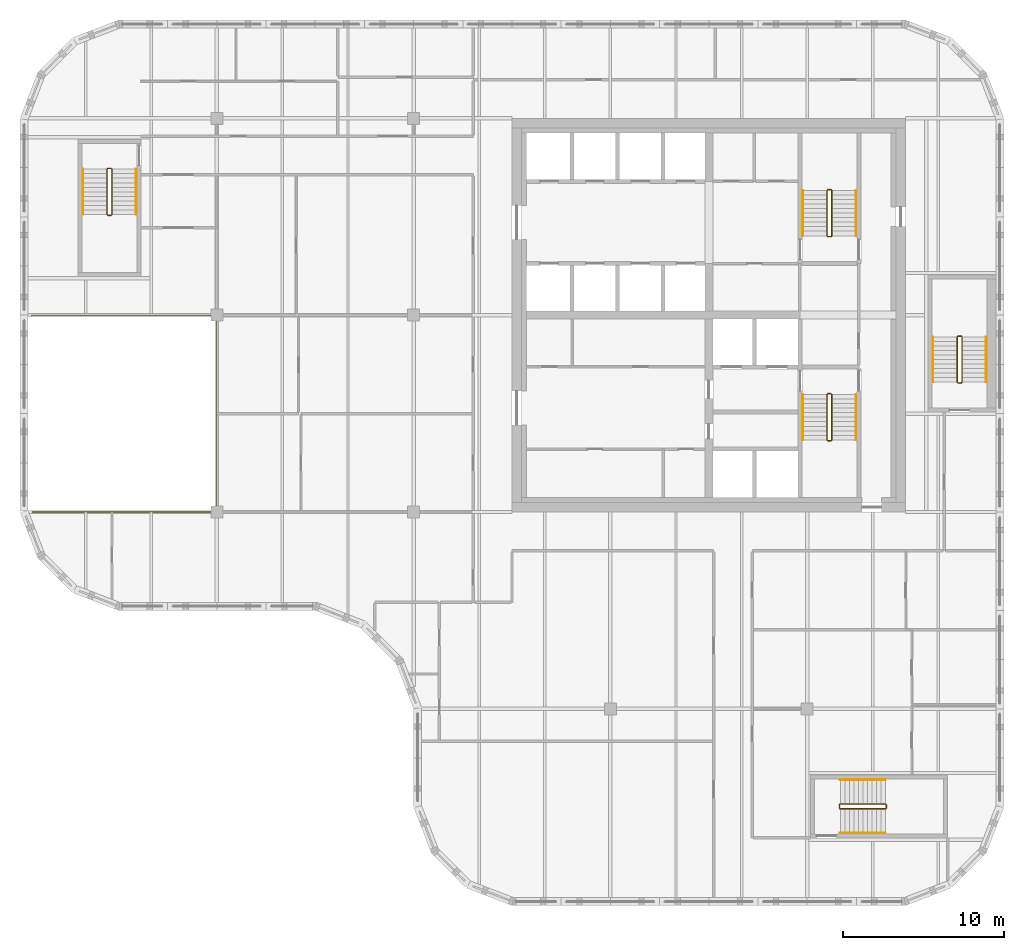
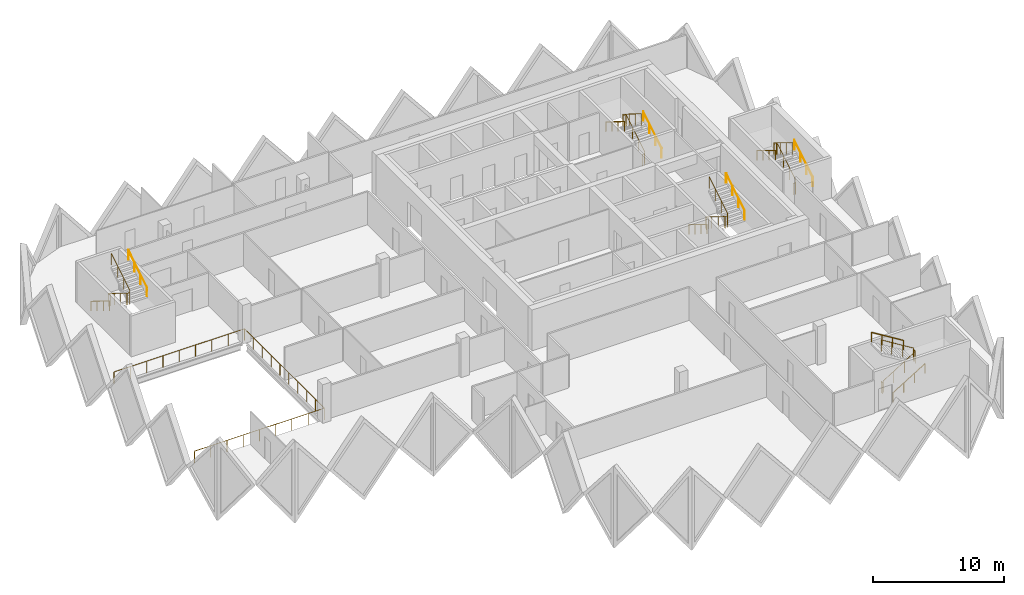
# One storey, part 12 of 12: 16 railings.
"""IFC4 building model written with IfcOpenShell, lengths in metres."""

from ifc_helpers import new_model, si_unit, direction, frame, origin, origin_2d, place, context, subcontext, project, spatial, circle, extrude, material, type_object, element, save


model = new_model("IFC4")

# Units and contexts
model_context = context("Model", 3, precision=1e-05, world=origin(), true_north=direction((0.0, 1.0)))
body_context = subcontext(model_context, "Body", "Model", "MODEL_VIEW")
ifc_project = project(units=[si_unit("LENGTHUNIT", "METRE"), si_unit("AREAUNIT", "SQUARE_METRE"), si_unit("VOLUMEUNIT", "CUBIC_METRE"), si_unit("PLANEANGLEUNIT", "RADIAN"), si_unit("MASSUNIT", "GRAM", prefix="KILO")], contexts=[model_context])

# Site, building, storey
site_placement = place(None, origin())
site = spatial("IfcSite", under=ifc_project, at=site_placement, CompositionType="ELEMENT")
building_placement = place(site_placement, origin())
building = spatial("IfcBuilding", under=site, at=building_placement, Name="Tessera Gate Towers", CompositionType="ELEMENT")
storey_placement = place(building_placement, frame((0.0, 0.0, 185.800048828125)))
storey = spatial("IfcBuildingStorey", under=building, at=storey_placement, Name="L46", CompositionType="ELEMENT", Elevation=185.800048828125)

# Railings
ifc_material_1 = material(Name="Toughened glass with stainless steel handrail", Category="steel")
railing_type_1 = type_object("IfcRailingType", Name="GUARD 1100 GLASS BALUSTRADE", PredefinedType="GUARDRAIL", material=ifc_material_1)
railing_1_placement = place(storey_placement, frame((0.750244140625, 24.39990234375, 0.0)))
element("IfcRailing", 1, at=railing_1_placement, inside=storey, type_object=railing_type_1, Name="Guard", PredefinedType="GUARDRAIL", context=body_context, shape_type="SweptSolid", body=[
    extrude(circle(Radius=0.02490234375, at=origin_2d()), frame((0.0, 0.0, 1.0751953125), z_axis=(1.0, 0.0, 0.0), x_axis=(0.0, 1.0, 0.0)), (0.0, 0.0, 1.0), 11.44970703125),
    extrude(circle(Radius=0.02490234375, at=origin_2d()), frame((11.44970703125, 0.0, 1.0751953125), z_axis=(0.0, 1.0, 0.0), x_axis=(-1.0, 0.0, 0.0)), (0.0, 0.0, 1.0), 12.2001953125),
    extrude(circle(Radius=0.02490234375, at=origin_2d()), frame((11.44970703125, 12.2001953125, 1.0751953125), z_axis=(-1.0, 0.0, 0.0), x_axis=(0.0, -1.0, 0.0)), (0.0, 0.0, 1.0), 11.5),
    extrude(circle(Radius=0.02490234375, at=origin_2d()), origin(), (0.0, 0.0, 1.0), 1.050048828125),
    extrude(circle(Radius=0.02490234375, at=origin_2d()), frame((1.43115234375, 0.0, 0.0)), (0.0, 0.0, 1.0), 1.050048828125),
    extrude(circle(Radius=0.02490234375, at=origin_2d()), frame((2.8623046875, 0.0, 0.0)), (0.0, 0.0, 1.0), 1.050048828125),
    extrude(circle(Radius=0.02490234375, at=origin_2d()), frame((4.293701171875, 0.0, 0.0)), (0.0, 0.0, 1.0), 1.050048828125),
    extrude(circle(Radius=0.02490234375, at=origin_2d()), frame((5.724853515625, 0.0, 0.0)), (0.0, 0.0, 1.0), 1.050048828125),
    extrude(circle(Radius=0.02490234375, at=origin_2d()), frame((7.156005859375, 0.0, 0.0)), (0.0, 0.0, 1.0), 1.050048828125),
    extrude(circle(Radius=0.02490234375, at=origin_2d()), frame((8.58740234375, 0.0, 0.0)), (0.0, 0.0, 1.0), 1.050048828125),
    extrude(circle(Radius=0.02490234375, at=origin_2d()), frame((10.0185546875, 0.0, 0.0)), (0.0, 0.0, 1.0), 1.050048828125),
    extrude(circle(Radius=0.02490234375, at=origin_2d()), frame((11.44970703125, 0.0, 0.0)), (0.0, 0.0, 1.0), 1.050048828125),
    extrude(circle(Radius=0.02490234375, at=origin_2d()), frame((11.44970703125, 1.35546875, 0.0)), (0.0, 0.0, 1.0), 1.050048828125),
    extrude(circle(Radius=0.02490234375, at=origin_2d()), frame((11.44970703125, 2.711181640625, 0.0)), (0.0, 0.0, 1.0), 1.050048828125),
    extrude(circle(Radius=0.02490234375, at=origin_2d()), frame((11.44970703125, 4.066650390625, 0.0)), (0.0, 0.0, 1.0), 1.050048828125),
    extrude(circle(Radius=0.02490234375, at=origin_2d()), frame((11.44970703125, 5.42236328125, 0.0)), (0.0, 0.0, 1.0), 1.050048828125),
    extrude(circle(Radius=0.02490234375, at=origin_2d()), frame((11.44970703125, 6.77783203125, 0.0)), (0.0, 0.0, 1.0), 1.050048828125),
    extrude(circle(Radius=0.02490234375, at=origin_2d()), frame((11.44970703125, 8.133544921875, 0.0)), (0.0, 0.0, 1.0), 1.050048828125),
    extrude(circle(Radius=0.02490234375, at=origin_2d()), frame((11.44970703125, 9.489013671875, 0.0)), (0.0, 0.0, 1.0), 1.050048828125),
    extrude(circle(Radius=0.02490234375, at=origin_2d()), frame((11.44970703125, 10.8447265625, 0.0)), (0.0, 0.0, 1.0), 1.050048828125),
    extrude(circle(Radius=0.02490234375, at=origin_2d()), frame((11.44970703125, 12.2001953125, 0.0)), (0.0, 0.0, 1.0), 1.050048828125),
    extrude(circle(Radius=0.02490234375, at=origin_2d()), frame((10.01220703125, 12.2001953125, 0.0)), (0.0, 0.0, 1.0), 1.050048828125),
    extrude(circle(Radius=0.02490234375, at=origin_2d()), frame((8.57470703125, 12.2001953125, 0.0)), (0.0, 0.0, 1.0), 1.050048828125),
    extrude(circle(Radius=0.02490234375, at=origin_2d()), frame((7.13720703125, 12.2001953125, 0.0)), (0.0, 0.0, 1.0), 1.050048828125),
    extrude(circle(Radius=0.02490234375, at=origin_2d()), frame((5.69970703125, 12.2001953125, 0.0)), (0.0, 0.0, 1.0), 1.050048828125),
    extrude(circle(Radius=0.02490234375, at=origin_2d()), frame((4.26220703125, 12.2001953125, 0.0)), (0.0, 0.0, 1.0), 1.050048828125),
    extrude(circle(Radius=0.02490234375, at=origin_2d()), frame((2.82470703125, 12.2001953125, 0.0)), (0.0, 0.0, 1.0), 1.050048828125),
    extrude(circle(Radius=0.02490234375, at=origin_2d()), frame((1.38720703125, 12.2001953125, 0.0)), (0.0, 0.0, 1.0), 1.050048828125),
    extrude(circle(Radius=0.02490234375, at=origin_2d()), frame((-0.05029296875, 12.2001953125, 0.0)), (0.0, 0.0, 1.0), 1.050048828125),
])
ifc_material_2 = material(Name="Steel 350W", Category="steel")
railing_type_2 = type_object("IfcRailingType", Name="STAIR GUARD 1100", PredefinedType="GUARDRAIL", material=ifc_material_2)
railing_2_placement = place(storey_placement, frame((50.27490234375, 31.72509765625, 0.0)))
element("IfcRailing", 2, at=railing_2_placement, inside=storey, type_object=railing_type_2, Name="L46 ST1 stair guard 1", PredefinedType="GUARDRAIL", context=body_context, shape_type="SweptSolid", body=[
    extrude(circle(Radius=0.02392578125, at=origin_2d()), frame((0.0, 0.0, 1.076171875), z_axis=(-1.0, 0.0, 0.0), x_axis=(0.0, -1.0, 0.0)), (0.0, 0.0, 1.0), 0.199951171875),
    extrude(circle(Radius=0.02392578125, at=origin_2d()), frame((-0.199951171875, 0.0, 1.076171875), z_axis=(-0.268277960024, -0.268277960024, 0.925231793839), x_axis=(0.707106781187, -0.707106781187, 0.0)), (0.0, 0.0, 1.0), 0.1865234375),
    extrude(circle(Radius=0.02392578125, at=origin_2d()), frame((-0.25, -0.050048828125, 1.24853515625), z_axis=(0.0, -0.851089632645, 0.525020415988), x_axis=(1.0, 0.0, 0.0)), (0.0, 0.0, 1.0), 3.2900390625),
    extrude(circle(Radius=0.02392578125, at=origin_2d()), frame((-0.25, -2.85009765625, 2.97607421875), z_axis=(0.707106781187, -0.707106781187, 0.0), x_axis=(0.707106781187, 0.707106781187, 0.0)), (0.0, 0.0, 1.0), 0.07080078125),
    extrude(circle(Radius=0.02392578125, at=origin_2d()), frame((-0.199951171875, -2.900146484375, 2.97607421875), z_axis=(1.0, 0.0, 0.0), x_axis=(0.0, 1.0, 0.0)), (0.0, 0.0, 1.0), 0.199951171875),
    extrude(circle(Radius=0.02392578125, at=origin_2d()), frame((0.0, -2.900146484375, 2.97607421875), z_axis=(0.267953482034, 0.267953482034, 0.925419830635), x_axis=(-0.707106781187, 0.707106781187, 0.0)), (0.0, 0.0, 1.0), 0.186767578125),
    extrude(circle(Radius=0.02392578125, at=origin_2d()), frame((0.050048828125, -2.85009765625, 3.14892578125), z_axis=(0.0, 0.851089632645, 0.525020415988), x_axis=(-1.0, 0.0, 0.0)), (0.0, 0.0, 1.0), 3.2900390625),
    extrude(circle(Radius=0.02099609375, at=origin_2d()), origin(), (0.0, 0.0, 1.0), 1.052001953125),
    extrude(circle(Radius=0.02099609375, at=origin_2d()), frame((-0.199951171875, 0.0, 0.0)), (0.0, 0.0, 1.0), 1.052001953125),
    extrude(circle(Radius=0.02099609375, at=origin_2d()), frame((-0.25, -0.050048828125, 0.172607421875)), (0.0, 0.0, 1.0), 1.052001953125),
    extrude(circle(Radius=0.02099609375, at=origin_2d()), frame((-0.25, -0.9833984375, 0.748291015625)), (0.0, 0.0, 1.0), 1.052001953125),
    extrude(circle(Radius=0.02099609375, at=origin_2d()), frame((-0.25, -1.916748046875, 1.32421875)), (0.0, 0.0, 1.0), 1.052001953125),
    extrude(circle(Radius=0.02099609375, at=origin_2d()), frame((-0.25, -2.85009765625, 1.89990234375)), (0.0, 0.0, 1.0), 1.052001953125),
    extrude(circle(Radius=0.02099609375, at=origin_2d()), frame((-0.199951171875, -2.900146484375, 1.89990234375)), (0.0, 0.0, 1.0), 1.052001953125),
    extrude(circle(Radius=0.02099609375, at=origin_2d()), frame((0.0, -2.900146484375, 1.89990234375)), (0.0, 0.0, 1.0), 1.052001953125),
    extrude(circle(Radius=0.02099609375, at=origin_2d()), frame((0.050048828125, -2.85009765625, 2.07275390625)), (0.0, 0.0, 1.0), 1.052001953125),
    extrude(circle(Radius=0.02099609375, at=origin_2d()), frame((0.050048828125, -1.916748046875, 2.6484375)), (0.0, 0.0, 1.0), 1.052001953125),
    extrude(circle(Radius=0.02099609375, at=origin_2d()), frame((0.050048828125, -0.9833984375, 3.224365234375)), (0.0, 0.0, 1.0), 1.052001953125),
    extrude(circle(Radius=0.02099609375, at=origin_2d()), frame((0.050048828125, -0.050048828125, 3.800048828125)), (0.0, 0.0, 1.0), 1.052001953125),
])
railing_3_placement = place(storey_placement, frame((50.074951171875, 41.47509765625, 0.0)))
element("IfcRailing", 3, at=railing_3_placement, inside=storey, type_object=railing_type_2, Name="L46 ST2 stair guard 1", PredefinedType="GUARDRAIL", context=body_context, shape_type="SweptSolid", body=[
    extrude(circle(Radius=0.02392578125, at=origin_2d()), frame((0.0, 0.0, 1.076171875), z_axis=(1.0, 0.0, 0.0), x_axis=(0.0, 1.0, 0.0)), (0.0, 0.0, 1.0), 0.199951171875),
    extrude(circle(Radius=0.02392578125, at=origin_2d()), frame((0.199951171875, 0.0, 1.076171875), z_axis=(0.268371968888, 0.267062837333, 0.925556009775), x_axis=(-0.705375805398, 0.708833529934, 0.0)), (0.0, 0.0, 1.0), 0.1865234375),
    extrude(circle(Radius=0.02392578125, at=origin_2d()), frame((0.25, 0.0498046875, 1.24853515625), z_axis=(0.0, 0.851089632645, 0.525020415988), x_axis=(-1.0, 0.0, 0.0)), (0.0, 0.0, 1.0), 3.2900390625),
    extrude(circle(Radius=0.02392578125, at=origin_2d()), frame((0.25, 2.849853515625, 2.97607421875), z_axis=(-0.707106781187, 0.707106781187, 0.0), x_axis=(-0.707106781187, -0.707106781187, 0.0)), (0.0, 0.0, 1.0), 0.07080078125),
    extrude(circle(Radius=0.02392578125, at=origin_2d()), frame((0.199951171875, 2.89990234375, 2.97607421875), z_axis=(-1.0, 0.0, 0.0), x_axis=(0.0, -1.0, 0.0)), (0.0, 0.0, 1.0), 0.199951171875),
    extrude(circle(Radius=0.02392578125, at=origin_2d()), frame((0.0, 2.89990234375, 2.97607421875), z_axis=(-0.267953482034, -0.267953482034, 0.925419830635), x_axis=(0.707106781187, -0.707106781187, 0.0)), (0.0, 0.0, 1.0), 0.186767578125),
    extrude(circle(Radius=0.02392578125, at=origin_2d()), frame((-0.050048828125, 2.849853515625, 3.14892578125), z_axis=(0.0, -0.851089632645, 0.525020415988), x_axis=(1.0, 0.0, 0.0)), (0.0, 0.0, 1.0), 3.2900390625),
    extrude(circle(Radius=0.02099609375, at=origin_2d()), origin(), (0.0, 0.0, 1.0), 1.052001953125),
    extrude(circle(Radius=0.02099609375, at=origin_2d()), frame((0.199951171875, 0.0, 0.0)), (0.0, 0.0, 1.0), 1.052001953125),
    extrude(circle(Radius=0.02099609375, at=origin_2d()), frame((0.25, 0.0498046875, 0.172607421875)), (0.0, 0.0, 1.0), 1.052001953125),
    extrude(circle(Radius=0.02099609375, at=origin_2d()), frame((0.25, 0.983154296875, 0.748291015625)), (0.0, 0.0, 1.0), 1.052001953125),
    extrude(circle(Radius=0.02099609375, at=origin_2d()), frame((0.25, 1.91650390625, 1.32421875)), (0.0, 0.0, 1.0), 1.052001953125),
    extrude(circle(Radius=0.02099609375, at=origin_2d()), frame((0.25, 2.849853515625, 1.89990234375)), (0.0, 0.0, 1.0), 1.052001953125),
    extrude(circle(Radius=0.02099609375, at=origin_2d()), frame((0.199951171875, 2.89990234375, 1.89990234375)), (0.0, 0.0, 1.0), 1.052001953125),
    extrude(circle(Radius=0.02099609375, at=origin_2d()), frame((0.0, 2.89990234375, 1.89990234375)), (0.0, 0.0, 1.0), 1.052001953125),
    extrude(circle(Radius=0.02099609375, at=origin_2d()), frame((-0.050048828125, 2.849853515625, 2.07275390625)), (0.0, 0.0, 1.0), 1.052001953125),
    extrude(circle(Radius=0.02099609375, at=origin_2d()), frame((-0.050048828125, 1.91650390625, 2.6484375)), (0.0, 0.0, 1.0), 1.052001953125),
    extrude(circle(Radius=0.02099609375, at=origin_2d()), frame((-0.050048828125, 0.983154296875, 3.224365234375)), (0.0, 0.0, 1.0), 1.052001953125),
    extrude(circle(Radius=0.02099609375, at=origin_2d()), frame((-0.050048828125, 0.0498046875, 3.800048828125)), (0.0, 0.0, 1.0), 1.052001953125),
])
railing_4_placement = place(storey_placement, frame((5.64990234375, 45.699951171875, 0.0)))
element("IfcRailing", 4, at=railing_4_placement, inside=storey, type_object=railing_type_2, Name="L46 ST3 stair guard 1", PredefinedType="GUARDRAIL", context=body_context, shape_type="SweptSolid", body=[
    extrude(circle(Radius=0.02392578125, at=origin_2d()), frame((0.0, 0.0, 1.076171875), z_axis=(-1.0, 0.0, 0.0), x_axis=(0.0, -1.0, 0.0)), (0.0, 0.0, 1.0), 0.199951171875),
    extrude(circle(Radius=0.02392578125, at=origin_2d()), frame((-0.199951171875, 0.0, 1.076171875), z_axis=(-0.268277960024, -0.268277960024, 0.925231793839), x_axis=(0.707106781187, -0.707106781187, 0.0)), (0.0, 0.0, 1.0), 0.1865234375),
    extrude(circle(Radius=0.02392578125, at=origin_2d()), frame((-0.25, -0.050048828125, 1.24853515625), z_axis=(0.0, -0.851069175582, 0.525053576669), x_axis=(1.0, 0.0, 0.0)), (0.0, 0.0, 1.0), 3.289794921875),
    extrude(circle(Radius=0.02392578125, at=origin_2d()), frame((-0.25, -2.849853515625, 2.97607421875), z_axis=(0.707106781187, -0.707106781187, 0.0), x_axis=(0.707106781187, 0.707106781187, 0.0)), (0.0, 0.0, 1.0), 0.07080078125),
    extrude(circle(Radius=0.02392578125, at=origin_2d()), frame((-0.199951171875, -2.89990234375, 2.97607421875), z_axis=(1.0, 0.0, 0.0), x_axis=(0.0, 1.0, 0.0)), (0.0, 0.0, 1.0), 0.199951171875),
    extrude(circle(Radius=0.02392578125, at=origin_2d()), frame((0.0, -2.89990234375, 2.97607421875), z_axis=(0.267953482034, 0.267953482034, 0.925419830635), x_axis=(-0.707106781187, 0.707106781187, 0.0)), (0.0, 0.0, 1.0), 0.186767578125),
    extrude(circle(Radius=0.02392578125, at=origin_2d()), frame((0.050048828125, -2.849853515625, 3.14892578125), z_axis=(0.0, 0.851069175582, 0.525053576669), x_axis=(-1.0, 0.0, 0.0)), (0.0, 0.0, 1.0), 3.289794921875),
    extrude(circle(Radius=0.02099609375, at=origin_2d()), origin(), (0.0, 0.0, 1.0), 1.052001953125),
    extrude(circle(Radius=0.02099609375, at=origin_2d()), frame((-0.199951171875, 0.0, 0.0)), (0.0, 0.0, 1.0), 1.052001953125),
    extrude(circle(Radius=0.02099609375, at=origin_2d()), frame((-0.25, -0.050048828125, 0.172607421875)), (0.0, 0.0, 1.0), 1.052001953125),
    extrude(circle(Radius=0.02099609375, at=origin_2d()), frame((-0.25, -0.9833984375, 0.748291015625)), (0.0, 0.0, 1.0), 1.052001953125),
    extrude(circle(Radius=0.02099609375, at=origin_2d()), frame((-0.25, -1.91650390625, 1.32421875)), (0.0, 0.0, 1.0), 1.052001953125),
    extrude(circle(Radius=0.02099609375, at=origin_2d()), frame((-0.25, -2.849853515625, 1.89990234375)), (0.0, 0.0, 1.0), 1.052001953125),
    extrude(circle(Radius=0.02099609375, at=origin_2d()), frame((-0.199951171875, -2.89990234375, 1.89990234375)), (0.0, 0.0, 1.0), 1.052001953125),
    extrude(circle(Radius=0.02099609375, at=origin_2d()), frame((0.0, -2.89990234375, 1.89990234375)), (0.0, 0.0, 1.0), 1.052001953125),
    extrude(circle(Radius=0.02099609375, at=origin_2d()), frame((0.050048828125, -2.849853515625, 2.07275390625)), (0.0, 0.0, 1.0), 1.052001953125),
    extrude(circle(Radius=0.02099609375, at=origin_2d()), frame((0.050048828125, -1.91650390625, 2.6484375)), (0.0, 0.0, 1.0), 1.052001953125),
    extrude(circle(Radius=0.02099609375, at=origin_2d()), frame((0.050048828125, -0.9833984375, 3.224365234375)), (0.0, 0.0, 1.0), 1.052001953125),
    extrude(circle(Radius=0.02099609375, at=origin_2d()), frame((0.050048828125, -0.050048828125, 3.800048828125)), (0.0, 0.0, 1.0), 1.052001953125),
])
railing_5_placement = place(storey_placement, frame((50.800048828125, 6.25, 0.0)))
element("IfcRailing", 5, at=railing_5_placement, inside=storey, type_object=railing_type_2, Name="L46 ST4 stair guard 1", PredefinedType="GUARDRAIL", context=body_context, shape_type="SweptSolid", body=[
    extrude(circle(Radius=0.02392578125, at=origin_2d()), frame((0.0, 0.0, 1.076171875), z_axis=(0.0, -1.0, 0.0), x_axis=(1.0, 0.0, 0.0)), (0.0, 0.0, 1.0), 0.199951171875),
    extrude(circle(Radius=0.02392578125, at=origin_2d()), frame((0.0, -0.199951171875, 1.076171875), z_axis=(0.268277960024, -0.268277960024, 0.925231793839), x_axis=(0.707106781187, 0.707106781187, 0.0)), (0.0, 0.0, 1.0), 0.1865234375),
    extrude(circle(Radius=0.02392578125, at=origin_2d()), frame((0.050048828125, -0.25, 1.24853515625), z_axis=(0.851069175582, 0.0, 0.525053576669), x_axis=(0.0, 1.0, 0.0)), (0.0, 0.0, 1.0), 3.289794921875),
    extrude(circle(Radius=0.02392578125, at=origin_2d()), frame((2.849853515625, -0.25, 2.97607421875), z_axis=(0.707106781187, 0.707106781187, 0.0), x_axis=(-0.707106781187, 0.707106781187, 0.0)), (0.0, 0.0, 1.0), 0.07080078125),
    extrude(circle(Radius=0.02392578125, at=origin_2d()), frame((2.89990234375, -0.199951171875, 2.97607421875), z_axis=(0.0, 1.0, 0.0), x_axis=(-1.0, 0.0, 0.0)), (0.0, 0.0, 1.0), 0.199951171875),
    extrude(circle(Radius=0.02392578125, at=origin_2d()), frame((2.89990234375, 0.0, 2.97607421875), z_axis=(-0.267953482034, 0.267953482034, 0.925419830635), x_axis=(-0.707106781187, -0.707106781187, 0.0)), (0.0, 0.0, 1.0), 0.186767578125),
    extrude(circle(Radius=0.02392578125, at=origin_2d()), frame((2.849853515625, 0.050048828125, 3.14892578125), z_axis=(-0.851069175582, 0.0, 0.525053576669), x_axis=(0.0, -1.0, 0.0)), (0.0, 0.0, 1.0), 3.289794921875),
    extrude(circle(Radius=0.02099609375, at=origin_2d()), origin(), (0.0, 0.0, 1.0), 1.052001953125),
    extrude(circle(Radius=0.02099609375, at=origin_2d()), frame((0.0, -0.199951171875, 0.0)), (0.0, 0.0, 1.0), 1.052001953125),
    extrude(circle(Radius=0.02099609375, at=origin_2d()), frame((0.050048828125, -0.25, 0.172607421875)), (0.0, 0.0, 1.0), 1.052001953125),
    extrude(circle(Radius=0.02099609375, at=origin_2d()), frame((0.9833984375, -0.25, 0.748291015625)), (0.0, 0.0, 1.0), 1.052001953125),
    extrude(circle(Radius=0.02099609375, at=origin_2d()), frame((1.91650390625, -0.25, 1.32421875)), (0.0, 0.0, 1.0), 1.052001953125),
    extrude(circle(Radius=0.02099609375, at=origin_2d()), frame((2.849853515625, -0.25, 1.89990234375)), (0.0, 0.0, 1.0), 1.052001953125),
    extrude(circle(Radius=0.02099609375, at=origin_2d()), frame((2.89990234375, -0.199951171875, 1.89990234375)), (0.0, 0.0, 1.0), 1.052001953125),
    extrude(circle(Radius=0.02099609375, at=origin_2d()), frame((2.89990234375, 0.0, 1.89990234375)), (0.0, 0.0, 1.0), 1.052001953125),
    extrude(circle(Radius=0.02099609375, at=origin_2d()), frame((2.849853515625, 0.050048828125, 2.07275390625)), (0.0, 0.0, 1.0), 1.052001953125),
    extrude(circle(Radius=0.02099609375, at=origin_2d()), frame((1.91650390625, 0.050048828125, 2.6484375)), (0.0, 0.0, 1.0), 1.052001953125),
    extrude(circle(Radius=0.02099609375, at=origin_2d()), frame((0.9833984375, 0.050048828125, 3.224365234375)), (0.0, 0.0, 1.0), 1.052001953125),
    extrude(circle(Radius=0.02099609375, at=origin_2d()), frame((0.050048828125, 0.050048828125, 3.800048828125)), (0.0, 0.0, 1.0), 1.052001953125),
])
railing_6_placement = place(storey_placement, frame((58.14990234375, 32.39990234375, 0.0)))
element("IfcRailing", 6, at=railing_6_placement, inside=storey, type_object=railing_type_2, Name="L46 ST5 stair guard 1", PredefinedType="GUARDRAIL", context=body_context, shape_type="SweptSolid", body=[
    extrude(circle(Radius=0.02392578125, at=origin_2d()), frame((0.0, 0.0, 1.076171875), z_axis=(1.0, 0.0, 0.0), x_axis=(0.0, 1.0, 0.0)), (0.0, 0.0, 1.0), 0.2001953125),
    extrude(circle(Radius=0.02392578125, at=origin_2d()), frame((0.2001953125, 0.0, 1.076171875), z_axis=(0.267062837333, 0.268371968888, 0.925556009775), x_axis=(-0.708833529934, 0.705375805398, 0.0)), (0.0, 0.0, 1.0), 0.1865234375),
    extrude(circle(Radius=0.02392578125, at=origin_2d()), frame((0.25, 0.050048828125, 1.24853515625), z_axis=(0.0, 0.851089632645, 0.525020415988), x_axis=(-1.0, 0.0, 0.0)), (0.0, 0.0, 1.0), 3.2900390625),
    extrude(circle(Radius=0.02392578125, at=origin_2d()), frame((0.25, 2.85009765625, 2.97607421875), z_axis=(-0.705375805398, 0.708833529934, 0.0), x_axis=(-0.708833529934, -0.705375805398, 0.0)), (0.0, 0.0, 1.0), 0.070556640625),
    extrude(circle(Radius=0.02392578125, at=origin_2d()), frame((0.2001953125, 2.900146484375, 2.97607421875), z_axis=(-1.0, 0.0, 0.0), x_axis=(0.0, -1.0, 0.0)), (0.0, 0.0, 1.0), 0.2001953125),
    extrude(circle(Radius=0.02392578125, at=origin_2d()), frame((0.0, 2.900146484375, 2.97607421875), z_axis=(-0.266739603011, -0.268047150085, 0.925743328097), x_axis=(0.708833529934, -0.705375805398, 0.0)), (0.0, 0.0, 1.0), 0.186767578125),
    extrude(circle(Radius=0.02392578125, at=origin_2d()), frame((-0.0498046875, 2.85009765625, 3.14892578125), z_axis=(0.0, -0.851089632645, 0.525020415988), x_axis=(1.0, 0.0, 0.0)), (0.0, 0.0, 1.0), 3.2900390625),
    extrude(circle(Radius=0.02099609375, at=origin_2d()), origin(), (0.0, 0.0, 1.0), 1.052001953125),
    extrude(circle(Radius=0.02099609375, at=origin_2d()), frame((0.2001953125, 0.0, 0.0)), (0.0, 0.0, 1.0), 1.052001953125),
    extrude(circle(Radius=0.02099609375, at=origin_2d()), frame((0.25, 0.050048828125, 0.172607421875)), (0.0, 0.0, 1.0), 1.052001953125),
    extrude(circle(Radius=0.02099609375, at=origin_2d()), frame((0.25, 0.9833984375, 0.748291015625)), (0.0, 0.0, 1.0), 1.052001953125),
    extrude(circle(Radius=0.02099609375, at=origin_2d()), frame((0.25, 1.916748046875, 1.32421875)), (0.0, 0.0, 1.0), 1.052001953125),
    extrude(circle(Radius=0.02099609375, at=origin_2d()), frame((0.25, 2.85009765625, 1.89990234375)), (0.0, 0.0, 1.0), 1.052001953125),
    extrude(circle(Radius=0.02099609375, at=origin_2d()), frame((0.2001953125, 2.900146484375, 1.89990234375)), (0.0, 0.0, 1.0), 1.052001953125),
    extrude(circle(Radius=0.02099609375, at=origin_2d()), frame((0.0, 2.900146484375, 1.89990234375)), (0.0, 0.0, 1.0), 1.052001953125),
    extrude(circle(Radius=0.02099609375, at=origin_2d()), frame((-0.0498046875, 2.85009765625, 2.07275390625)), (0.0, 0.0, 1.0), 1.052001953125),
    extrude(circle(Radius=0.02099609375, at=origin_2d()), frame((-0.0498046875, 1.916748046875, 2.6484375)), (0.0, 0.0, 1.0), 1.052001953125),
    extrude(circle(Radius=0.02099609375, at=origin_2d()), frame((-0.0498046875, 0.9833984375, 3.224365234375)), (0.0, 0.0, 1.0), 1.052001953125),
    extrude(circle(Radius=0.02099609375, at=origin_2d()), frame((-0.0498046875, 0.050048828125, 3.800048828125)), (0.0, 0.0, 1.0), 1.052001953125),
])
ifc_material_3 = material(Name="Steel 350W", Category="steel")
railing_type_3 = type_object("IfcRailingType", Name="STAIR HANDRAIL 900", PredefinedType="HANDRAIL", material=ifc_material_3)
railing_7_placement = place(storey_placement, frame((48.52490234375, 31.675048828125, 0.172607421875)))
element("IfcRailing", 7, at=railing_7_placement, inside=storey, type_object=railing_type_3, Name="L46 ST1 stair handrail 1", PredefinedType="HANDRAIL", context=body_context, shape_type="SweptSolid", body=[
    extrude(circle(Radius=0.02392578125, at=origin_2d()), frame((0.0, 0.0, 0.8759765625), z_axis=(0.0, -0.851089632645, 0.525020415988), x_axis=(1.0, 0.0, 0.0)), (0.0, 0.0, 1.0), 3.2900390625),
    extrude(circle(Radius=0.02099609375, at=origin_2d()), origin(), (0.0, 0.0, 1.0), 0.851806640625),
    extrude(circle(Radius=0.02099609375, at=origin_2d()), frame((0.0, -0.933349609375, 0.57568359375)), (0.0, 0.0, 1.0), 0.851806640625),
    extrude(circle(Radius=0.02099609375, at=origin_2d()), frame((0.0, -1.86669921875, 1.151611328125)), (0.0, 0.0, 1.0), 0.851806640625),
    extrude(circle(Radius=0.02099609375, at=origin_2d()), frame((0.0, -2.800048828125, 1.727294921875)), (0.0, 0.0, 1.0), 0.851806640625),
])
for number, where, name in (
    (8, (51.824951171875, 28.875, 2.07275390625), "L46 ST1 stair handrail 2"),
    (9, (51.824951171875, 41.52490234375, 0.172607421875), "L46 ST2 stair handrail 1"),
):
    element("IfcRailing", number, at=place(storey_placement, frame(where)), inside=storey, type_object=railing_type_3, Name=name, PredefinedType="HANDRAIL", context=body_context, shape_type="SweptSolid", body=[
        extrude(circle(Radius=0.02392578125, at=origin_2d()), frame((0.0, 0.0, 0.8759765625), z_axis=(0.0, 0.851089632645, 0.525020415988), x_axis=(-1.0, 0.0, 0.0)), (0.0, 0.0, 1.0), 3.2900390625),
        extrude(circle(Radius=0.02099609375, at=origin_2d()), origin(), (0.0, 0.0, 1.0), 0.851806640625),
        extrude(circle(Radius=0.02099609375, at=origin_2d()), frame((0.0, 0.933349609375, 0.57568359375)), (0.0, 0.0, 1.0), 0.851806640625),
        extrude(circle(Radius=0.02099609375, at=origin_2d()), frame((0.0, 1.86669921875, 1.151611328125)), (0.0, 0.0, 1.0), 0.851806640625),
        extrude(circle(Radius=0.02099609375, at=origin_2d()), frame((0.0, 2.800048828125, 1.727294921875)), (0.0, 0.0, 1.0), 0.851806640625),
    ])
railing_8_placement = place(storey_placement, frame((48.52490234375, 44.324951171875, 2.07275390625)))
element("IfcRailing", 10, at=railing_8_placement, inside=storey, type_object=railing_type_3, Name="L46 ST2 stair handrail 2", PredefinedType="HANDRAIL", context=body_context, shape_type="SweptSolid", body=[
    extrude(circle(Radius=0.02392578125, at=origin_2d()), frame((0.0, 0.0, 0.8759765625), z_axis=(0.0, -0.851089632645, 0.525020415988), x_axis=(1.0, 0.0, 0.0)), (0.0, 0.0, 1.0), 3.2900390625),
    extrude(circle(Radius=0.02099609375, at=origin_2d()), origin(), (0.0, 0.0, 1.0), 0.851806640625),
    extrude(circle(Radius=0.02099609375, at=origin_2d()), frame((0.0, -0.933349609375, 0.57568359375)), (0.0, 0.0, 1.0), 0.851806640625),
    extrude(circle(Radius=0.02099609375, at=origin_2d()), frame((0.0, -1.86669921875, 1.151611328125)), (0.0, 0.0, 1.0), 0.851806640625),
    extrude(circle(Radius=0.02099609375, at=origin_2d()), frame((0.0, -2.800048828125, 1.727294921875)), (0.0, 0.0, 1.0), 0.851806640625),
])
railing_9_placement = place(storey_placement, frame((3.89990234375, 45.64990234375, 0.172607421875)))
element("IfcRailing", 11, at=railing_9_placement, inside=storey, type_object=railing_type_3, Name="L46 ST3 stair handrail 1", PredefinedType="HANDRAIL", context=body_context, shape_type="SweptSolid", body=[
    extrude(circle(Radius=0.02392578125, at=origin_2d()), frame((0.0, 0.0, 0.8759765625), z_axis=(0.0, -0.851069175582, 0.525053576669), x_axis=(1.0, 0.0, 0.0)), (0.0, 0.0, 1.0), 3.289794921875),
    extrude(circle(Radius=0.02099609375, at=origin_2d()), origin(), (0.0, 0.0, 1.0), 0.851806640625),
    extrude(circle(Radius=0.02099609375, at=origin_2d()), frame((0.0, -0.933349609375, 0.57568359375)), (0.0, 0.0, 1.0), 0.851806640625),
    extrude(circle(Radius=0.02099609375, at=origin_2d()), frame((0.0, -1.866455078125, 1.151611328125)), (0.0, 0.0, 1.0), 0.851806640625),
    extrude(circle(Radius=0.02099609375, at=origin_2d()), frame((0.0, -2.7998046875, 1.727294921875)), (0.0, 0.0, 1.0), 0.851806640625),
])
railing_10_placement = place(storey_placement, frame((7.199951171875, 42.85009765625, 2.07275390625)))
element("IfcRailing", 12, at=railing_10_placement, inside=storey, type_object=railing_type_3, Name="L46 ST3 stair handrail 2", PredefinedType="HANDRAIL", context=body_context, shape_type="SweptSolid", body=[
    extrude(circle(Radius=0.02392578125, at=origin_2d()), frame((0.0, 0.0, 0.8759765625), z_axis=(0.0, 0.851069175582, 0.525053576669), x_axis=(-1.0, 0.0, 0.0)), (0.0, 0.0, 1.0), 3.289794921875),
    extrude(circle(Radius=0.02099609375, at=origin_2d()), origin(), (0.0, 0.0, 1.0), 0.851806640625),
    extrude(circle(Radius=0.02099609375, at=origin_2d()), frame((0.0, 0.933349609375, 0.57568359375)), (0.0, 0.0, 1.0), 0.851806640625),
    extrude(circle(Radius=0.02099609375, at=origin_2d()), frame((0.0, 1.866455078125, 1.151611328125)), (0.0, 0.0, 1.0), 0.851806640625),
    extrude(circle(Radius=0.02099609375, at=origin_2d()), frame((0.0, 2.7998046875, 1.727294921875)), (0.0, 0.0, 1.0), 0.851806640625),
])
railing_11_placement = place(storey_placement, frame((50.85009765625, 4.5, 0.172607421875)))
element("IfcRailing", 13, at=railing_11_placement, inside=storey, type_object=railing_type_3, Name="L46 ST4 stair handrail 1", PredefinedType="HANDRAIL", context=body_context, shape_type="SweptSolid", body=[
    extrude(circle(Radius=0.02392578125, at=origin_2d()), frame((0.0, 0.0, 0.8759765625), z_axis=(0.851069175582, 0.0, 0.525053576669), x_axis=(0.0, 1.0, 0.0)), (0.0, 0.0, 1.0), 3.289794921875),
    extrude(circle(Radius=0.02099609375, at=origin_2d()), origin(), (0.0, 0.0, 1.0), 0.851806640625),
    extrude(circle(Radius=0.02099609375, at=origin_2d()), frame((0.933349609375, 0.0, 0.57568359375)), (0.0, 0.0, 1.0), 0.851806640625),
    extrude(circle(Radius=0.02099609375, at=origin_2d()), frame((1.866455078125, 0.0, 1.151611328125)), (0.0, 0.0, 1.0), 0.851806640625),
    extrude(circle(Radius=0.02099609375, at=origin_2d()), frame((2.7998046875, 0.0, 1.727294921875)), (0.0, 0.0, 1.0), 0.851806640625),
])
railing_12_placement = place(storey_placement, frame((53.64990234375, 7.800048828125, 2.07275390625)))
element("IfcRailing", 14, at=railing_12_placement, inside=storey, type_object=railing_type_3, Name="L46 ST4 stair handrail 2", PredefinedType="HANDRAIL", context=body_context, shape_type="SweptSolid", body=[
    extrude(circle(Radius=0.02392578125, at=origin_2d()), frame((0.0, 0.0, 0.8759765625), z_axis=(-0.851069175582, 0.0, 0.525053576669), x_axis=(0.0, -1.0, 0.0)), (0.0, 0.0, 1.0), 3.289794921875),
    extrude(circle(Radius=0.02099609375, at=origin_2d()), origin(), (0.0, 0.0, 1.0), 0.851806640625),
    extrude(circle(Radius=0.02099609375, at=origin_2d()), frame((-0.933349609375, 0.0, 0.57568359375)), (0.0, 0.0, 1.0), 0.851806640625),
    extrude(circle(Radius=0.02099609375, at=origin_2d()), frame((-1.866455078125, 0.0, 1.151611328125)), (0.0, 0.0, 1.0), 0.851806640625),
    extrude(circle(Radius=0.02099609375, at=origin_2d()), frame((-2.7998046875, 0.0, 1.727294921875)), (0.0, 0.0, 1.0), 0.851806640625),
])
railing_13_placement = place(storey_placement, frame((59.89990234375, 32.449951171875, 0.172607421875)))
element("IfcRailing", 15, at=railing_13_placement, inside=storey, type_object=railing_type_3, Name="L46 ST5 stair handrail 1", PredefinedType="HANDRAIL", context=body_context, shape_type="SweptSolid", body=[
    extrude(circle(Radius=0.02392578125, at=origin_2d()), frame((0.0, 0.0, 0.8759765625), z_axis=(0.0, 0.851089632645, 0.525020415988), x_axis=(-1.0, 0.0, 0.0)), (0.0, 0.0, 1.0), 3.2900390625),
    extrude(circle(Radius=0.02099609375, at=origin_2d()), origin(), (0.0, 0.0, 1.0), 0.851806640625),
    extrude(circle(Radius=0.02099609375, at=origin_2d()), frame((0.0, 0.933349609375, 0.57568359375)), (0.0, 0.0, 1.0), 0.851806640625),
    extrude(circle(Radius=0.02099609375, at=origin_2d()), frame((0.0, 1.86669921875, 1.151611328125)), (0.0, 0.0, 1.0), 0.851806640625),
    extrude(circle(Radius=0.02099609375, at=origin_2d()), frame((0.0, 2.800048828125, 1.727294921875)), (0.0, 0.0, 1.0), 0.851806640625),
])
railing_14_placement = place(storey_placement, frame((56.60009765625, 35.25, 2.07275390625)))
element("IfcRailing", 16, at=railing_14_placement, inside=storey, type_object=railing_type_3, Name="L46 ST5 stair handrail 2", PredefinedType="HANDRAIL", context=body_context, shape_type="SweptSolid", body=[
    extrude(circle(Radius=0.02392578125, at=origin_2d()), frame((0.0, 0.0, 0.8759765625), z_axis=(0.0, -0.851089632645, 0.525020415988), x_axis=(1.0, 0.0, 0.0)), (0.0, 0.0, 1.0), 3.2900390625),
    extrude(circle(Radius=0.02099609375, at=origin_2d()), origin(), (0.0, 0.0, 1.0), 0.851806640625),
    extrude(circle(Radius=0.02099609375, at=origin_2d()), frame((0.0, -0.933349609375, 0.57568359375)), (0.0, 0.0, 1.0), 0.851806640625),
    extrude(circle(Radius=0.02099609375, at=origin_2d()), frame((0.0, -1.86669921875, 1.151611328125)), (0.0, 0.0, 1.0), 0.851806640625),
    extrude(circle(Radius=0.02099609375, at=origin_2d()), frame((0.0, -2.800048828125, 1.727294921875)), (0.0, 0.0, 1.0), 0.851806640625),
])

save(model, "model.ifc")
